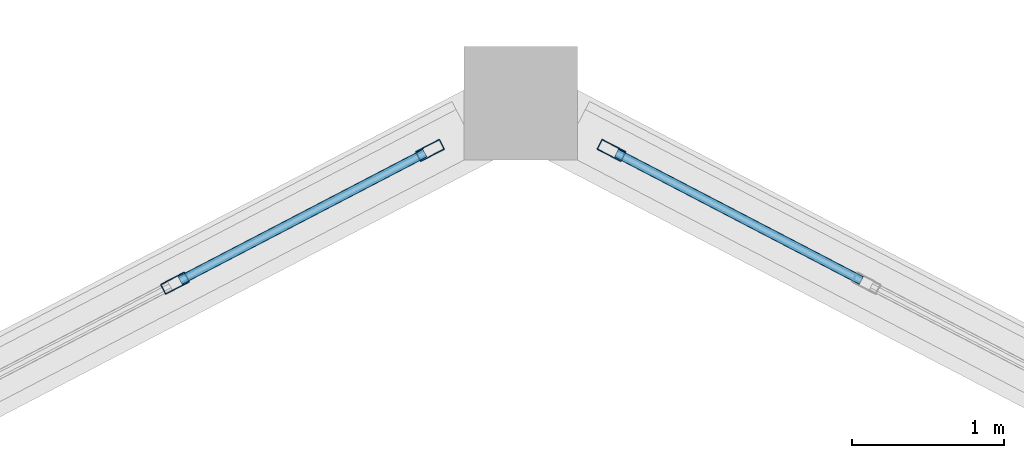
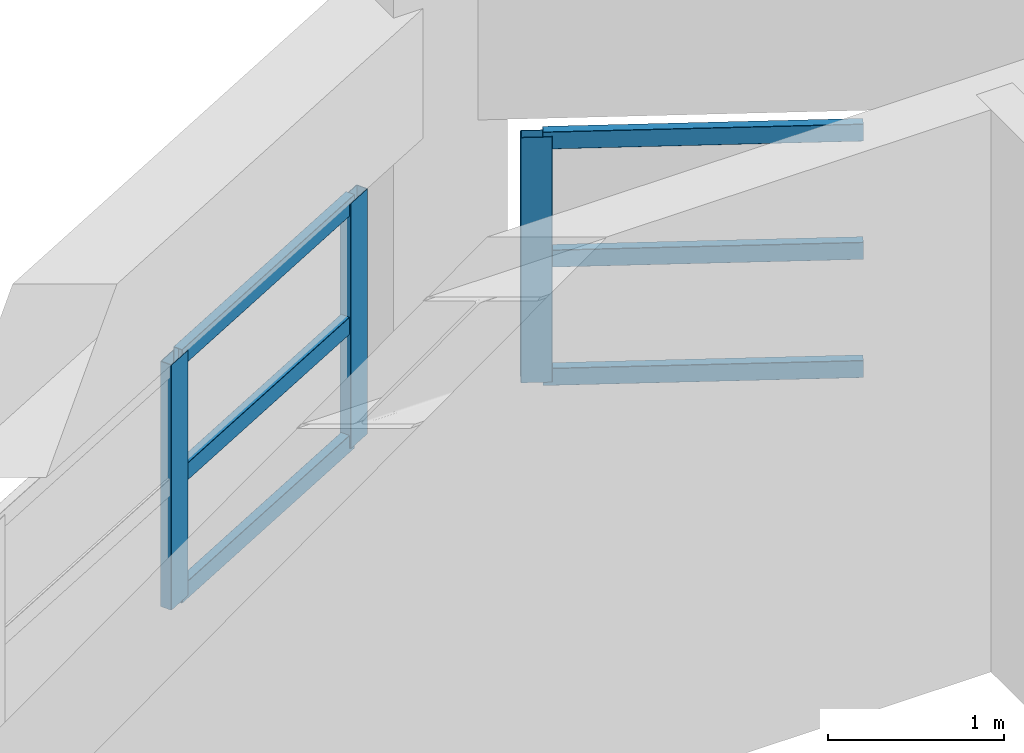
# One storey, part 24 of 108: 9 members, 2 elements without a shape of their own.
"""IFC4 building model written with IfcOpenShell, lengths in metres."""

from ifc_helpers import new_model, si_unit, direction, frame, origin, origin_2d, place, context, subcontext, project, spatial, hollow_rectangle, extrude, material, layer, layer_set, material_profile, profile_set, type_object, element, aggregate, save


model = new_model("IFC4")

# Units and contexts
model_context = context("Model", 3, precision=1e-05, world=origin(), true_north=direction((0.0, 1.0)))
body_context = subcontext(model_context, "Body", "Model", "MODEL_VIEW")
ifc_project = project(units=[si_unit("LENGTHUNIT", "METRE"), si_unit("AREAUNIT", "SQUARE_METRE"), si_unit("VOLUMEUNIT", "CUBIC_METRE"), si_unit("PLANEANGLEUNIT", "RADIAN"), si_unit("MASSUNIT", "GRAM", prefix="KILO")], contexts=[model_context])

# Site, building, storey
site_placement = place(None, origin())
site = spatial("IfcSite", under=ifc_project, at=site_placement, CompositionType="ELEMENT")
building_placement = place(site_placement, origin())
building = spatial("IfcBuilding", under=site, at=building_placement, Name="Vespera Passage Community Centre", CompositionType="ELEMENT")
storey_placement = place(building_placement, frame((0.0, 0.0, 12.60009765625)))
storey = spatial("IfcBuildingStorey", under=building, at=storey_placement, Name="L03", CompositionType="ELEMENT", Elevation=12.60009765625)

# Curtain wall, members
ifc_material_1 = material(Name="Anodized aluminium 6063-T6", Category="aluminium")
ifc_layer = layer(ifc_material_1, 0.159912109375)
ifc_layer_set = layer_set([ifc_layer], Name="Anodized aluminium 6063-T6")
curtain_wall_type = type_object("IfcCurtainWallType", Name="CW-88E", PredefinedType="NOTDEFINED", material=ifc_layer_set)
curtain_wall_1_placement = place(storey_placement, origin())
curtain_wall_1 = element("IfcCurtainWall", 1, at=curtain_wall_1_placement, inside=storey, type_object=curtain_wall_type, Name="V1 L03 N Apse Ribbon Curtain Wall 2", PredefinedType="NOTDEFINED")
ifc_material_2 = material(Name="Anodized aluminium 6063-T6", Category="aluminium")
ifc_material_profile_1 = material_profile(ifc_material_2, hollow_rectangle(XDim=0.074951171875, YDim=0.179931640625, WallThickness=0.0048828125, InnerFilletRadius=0.00244140625, OuterFilletRadius=0.0048828125, at=origin_2d()), Name="ALU180X75X5")
ifc_profile_set_1 = profile_set([ifc_material_profile_1], Name="Anodized aluminium 6063-T6")
member_type_1 = type_object("IfcMemberType", Name="MB-CWM-180E", PredefinedType="MULLION", material=ifc_profile_set_1)
member_1_placement = place(storey_placement, frame((15.71826171875, 50.76220703125, 0.7998046875), z_axis=(0.0, 0.0, 1.0), x_axis=(-0.46174493668, 0.887012747062, 0.0)))
member_1 = element("IfcMember", 2, at=member_1_placement, type_object=member_type_1, Name="CW-88E mullion 6", PredefinedType="MULLION", context=body_context, shape_type="SweptSolid", body=[
    extrude(hollow_rectangle(XDim=0.074951171875, YDim=0.179931640625, WallThickness=0.0048828125, InnerFilletRadius=0.00244140625, OuterFilletRadius=0.0048828125, at=origin_2d()), origin(), (0.0, 0.0, 1.0), 1.7001953125),
])
member_2_placement = place(storey_placement, frame((17.401123046875, 51.63818359375, 0.7998046875), z_axis=(0.0, 0.0, 1.0), x_axis=(-0.46174493668, 0.887012747062, 0.0)))
member_2 = element("IfcMember", 3, at=member_2_placement, type_object=member_type_1, Name="CW-88E mullion 7", PredefinedType="MULLION", context=body_context, shape_type="SweptSolid", body=[
    extrude(hollow_rectangle(XDim=0.074951171875, YDim=0.179931640625, WallThickness=0.0048828125, InnerFilletRadius=0.00244140625, OuterFilletRadius=0.0048828125, at=origin_2d()), origin(), (0.0, 0.0, 1.0), 1.7001953125),
])

# Curtain wall, member
curtain_wall_2_placement = place(storey_placement, origin())
curtain_wall_2 = element("IfcCurtainWall", 4, at=curtain_wall_2_placement, inside=storey, type_object=curtain_wall_type, Name="V1 L03 N Apse Ribbon Curtain Wall 3", PredefinedType="NOTDEFINED")
member_3_placement = place(storey_placement, frame((18.598876953125, 51.63818359375, 0.7998046875), z_axis=(0.0, 0.0, 1.0), x_axis=(0.46174493668, 0.887012747062, 0.0)))
member_3 = element("IfcMember", 5, at=member_3_placement, type_object=member_type_1, Name="CW-88E mullion 1", PredefinedType="MULLION", context=body_context, shape_type="SweptSolid", body=[
    extrude(hollow_rectangle(XDim=0.074951171875, YDim=0.179931640625, WallThickness=0.0048828125, InnerFilletRadius=0.00244140625, OuterFilletRadius=0.0048828125, at=origin_2d()), origin(), (0.0, 0.0, 1.0), 1.7001953125),
])

# Member
ifc_material_3 = material(Name="Anodized aluminium 6063-T6", Category="aluminium")
ifc_material_profile_2 = material_profile(ifc_material_3, hollow_rectangle(XDim=0.06005859375, YDim=0.1201171875, WallThickness=0.00390625, InnerFilletRadius=0.001953125, OuterFilletRadius=0.00390625, at=origin_2d()), Name="ALU120X60X4")
ifc_profile_set_2 = profile_set([ifc_material_profile_2], Name="Anodized aluminium 6063-T6")
member_type_2 = type_object("IfcMemberType", Name="MB-CWT-120E", PredefinedType="USERDEFINED", material=ifc_profile_set_2)
member_4_placement = place(storey_placement, frame((15.751708984375, 50.779541015625, 0.829833984375), z_axis=(0.886990706074, 0.461787274986, 0.0), x_axis=(-0.461787274986, 0.886990706074, 0.0)))
member_4 = element("IfcMember", 6, at=member_4_placement, type_object=member_type_2, Name="CW-88E transom 6.1", ObjectType="TRANSOM", PredefinedType="USERDEFINED", context=body_context, shape_type="SweptSolid", body=[
    extrude(hollow_rectangle(XDim=0.06005859375, YDim=0.1201171875, WallThickness=0.00390625, InnerFilletRadius=0.001953125, OuterFilletRadius=0.00390625, at=origin_2d()), origin(), (0.0, 0.0, 1.0), 1.82177734375),
])

member_5_placement = place(storey_placement, frame((15.751708984375, 50.779541015625, 1.64990234375), z_axis=(0.886990706074, 0.461787274986, 0.0), x_axis=(-0.461787274986, 0.886990706074, 0.0)))
member_5 = element("IfcMember", 7, at=member_5_placement, type_object=member_type_2, Name="CW-88E transom 6.2", ObjectType="TRANSOM", PredefinedType="USERDEFINED", context=body_context, shape_type="SweptSolid", body=[
    extrude(hollow_rectangle(XDim=0.06005859375, YDim=0.1201171875, WallThickness=0.00390625, InnerFilletRadius=0.001953125, OuterFilletRadius=0.00390625, at=origin_2d()), origin(), (0.0, 0.0, 1.0), 1.82177734375),
])

member_6_placement = place(storey_placement, frame((15.751708984375, 50.779541015625, 2.469970703125), z_axis=(0.886990706074, 0.461787274986, 0.0), x_axis=(-0.461787274986, 0.886990706074, 0.0)))
member_6 = element("IfcMember", 8, at=member_6_placement, type_object=member_type_2, Name="CW-88E transom 6.3", ObjectType="TRANSOM", PredefinedType="USERDEFINED", context=body_context, shape_type="SweptSolid", body=[
    extrude(hollow_rectangle(XDim=0.06005859375, YDim=0.1201171875, WallThickness=0.00390625, InnerFilletRadius=0.001953125, OuterFilletRadius=0.00390625, at=origin_2d()), origin(), (0.0, 0.0, 1.0), 1.82177734375),
])

aggregate(curtain_wall_1, [member_1, member_2, member_4, member_5, member_6])

member_7_placement = place(storey_placement, frame((18.63232421875, 51.620849609375, 0.829833984375), z_axis=(0.886990706074, -0.461787274986, 0.0), x_axis=(0.461787274986, 0.886990706074, 0.0)))
member_7 = element("IfcMember", 9, at=member_7_placement, type_object=member_type_2, Name="CW-88E transom 1.1", ObjectType="TRANSOM", PredefinedType="USERDEFINED", context=body_context, shape_type="SweptSolid", body=[
    extrude(hollow_rectangle(XDim=0.06005859375, YDim=0.1201171875, WallThickness=0.00390625, InnerFilletRadius=0.001953125, OuterFilletRadius=0.00390625, at=origin_2d()), origin(), (0.0, 0.0, 1.0), 1.82177734375),
])

member_8_placement = place(storey_placement, frame((18.63232421875, 51.620849609375, 1.64990234375), z_axis=(0.886990706074, -0.461787274986, 0.0), x_axis=(0.461787274986, 0.886990706074, 0.0)))
member_8 = element("IfcMember", 10, at=member_8_placement, type_object=member_type_2, Name="CW-88E transom 1.2", ObjectType="TRANSOM", PredefinedType="USERDEFINED", context=body_context, shape_type="SweptSolid", body=[
    extrude(hollow_rectangle(XDim=0.06005859375, YDim=0.1201171875, WallThickness=0.00390625, InnerFilletRadius=0.001953125, OuterFilletRadius=0.00390625, at=origin_2d()), origin(), (0.0, 0.0, 1.0), 1.82177734375),
])

member_9_placement = place(storey_placement, frame((18.63232421875, 51.620849609375, 2.469970703125), z_axis=(0.886990706074, -0.461787274986, 0.0), x_axis=(0.461787274986, 0.886990706074, 0.0)))
member_9 = element("IfcMember", 11, at=member_9_placement, type_object=member_type_2, Name="CW-88E transom 1.3", ObjectType="TRANSOM", PredefinedType="USERDEFINED", context=body_context, shape_type="SweptSolid", body=[
    extrude(hollow_rectangle(XDim=0.06005859375, YDim=0.1201171875, WallThickness=0.00390625, InnerFilletRadius=0.001953125, OuterFilletRadius=0.00390625, at=origin_2d()), origin(), (0.0, 0.0, 1.0), 1.82177734375),
])

aggregate(curtain_wall_2, [member_3, member_7, member_8, member_9])

save(model, "model.ifc")
